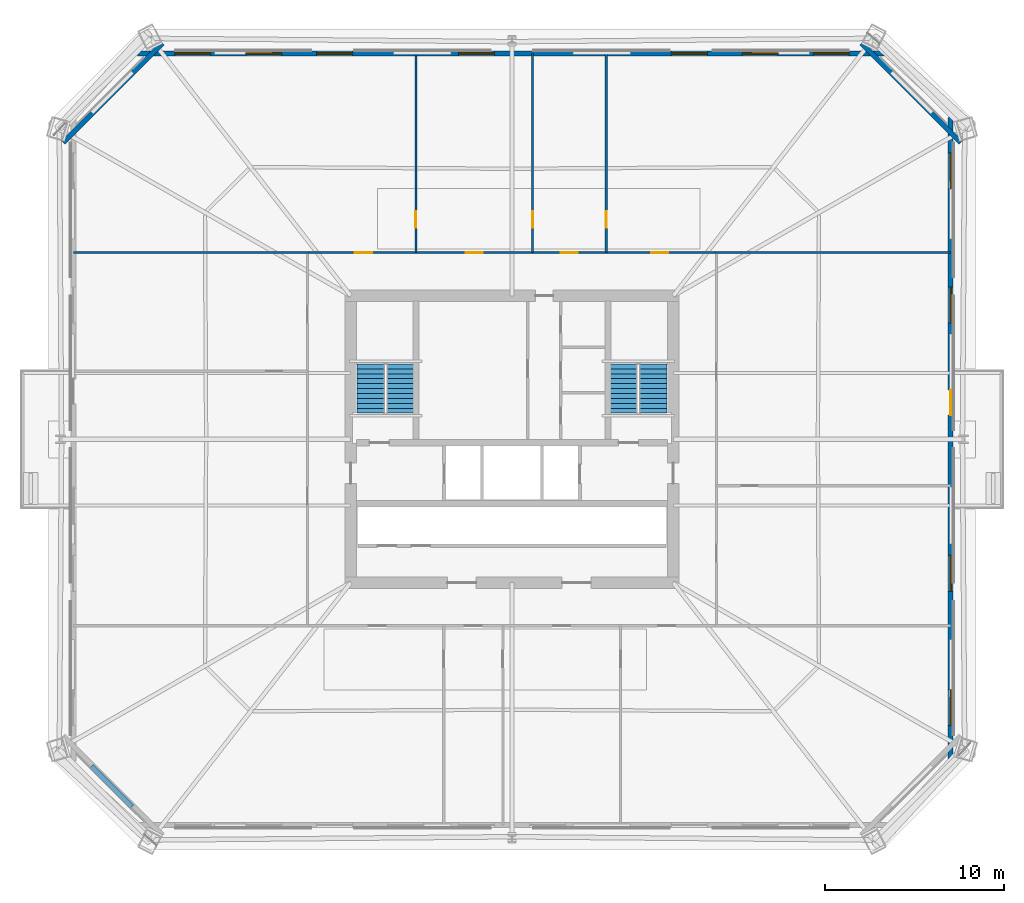
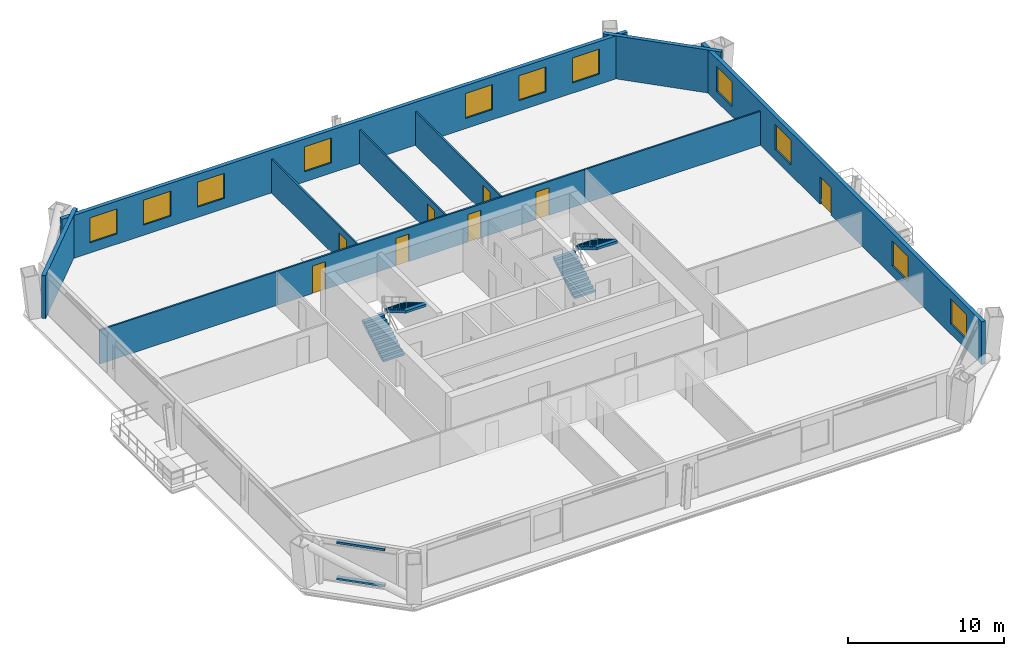
# One storey, part 7 of 11: 11 windows, 10 walls, 8 doors, 4 stair flights, 2 discrete accessories, 19 openings, 2 elements without a shape of their own.
"""IFC4 building model written with IfcOpenShell, lengths in metres."""

from ifc_helpers import new_model, si_unit, direction, frame, frame_2d, origin, origin_2d, place, context, subcontext, project, spatial, polyline, rectangle, outline, extrude, material, layer, layer_set, type_object, element, fill, aggregate, save


model = new_model("IFC4")

# Units and contexts
model_context = context("Model", 3, precision=1e-05, world=origin(), true_north=direction((0.0, 1.0)))
body_context = subcontext(model_context, "Body", "Model", "MODEL_VIEW")
ifc_project = project(units=[si_unit("LENGTHUNIT", "METRE"), si_unit("AREAUNIT", "SQUARE_METRE"), si_unit("VOLUMEUNIT", "CUBIC_METRE"), si_unit("PLANEANGLEUNIT", "RADIAN"), si_unit("MASSUNIT", "GRAM", prefix="KILO")], contexts=[model_context])

# Site, building, storey
site_placement = place(None, origin())
site = spatial("IfcSite", under=ifc_project, at=site_placement, CompositionType="ELEMENT")
building_placement = place(site_placement, origin())
building = spatial("IfcBuilding", under=site, at=building_placement, Name="Caelvoria Tower", CompositionType="ELEMENT")
storey_placement = place(building_placement, frame((0.0, 0.0, 67.60009765625)))
storey = spatial("IfcBuildingStorey", under=building, at=storey_placement, Name="L17", CompositionType="ELEMENT", Elevation=67.60009765625)

# Wall, openings, windows, door
ifc_material_1 = material(Name="Precast Concrete C40/50 with Bronze Cladding", Category="concrete")
ifc_layer_1 = layer(ifc_material_1, 0.280029296875, Name="Precast Concrete C40/50 with Bronze Cladding")
ifc_layer_set_1 = layer_set([ifc_layer_1], Name="Exterior Precast Concrete C40/50 Bronze-Clad Facade Wall 280 - Precast Concrete C40/50 with Bronze Cladding")
wall_type_1 = type_object("IfcWallType", Name="Exterior Precast Concrete C40/50 Bronze-Clad Facade Wall 280", PredefinedType="STANDARD", material=ifc_layer_set_1)
wall_1_placement = place(storey_placement, frame((70.469970703125, 14.06005859375, 0.0), z_axis=(0.0, 0.0, 1.0), x_axis=(0.0, 1.0, 0.0)))
wall_1 = element("IfcWall", 1, at=wall_1_placement, inside=storey, type_object=wall_type_1, Name="Exterior Facade Wall L17-E2", PredefinedType="STANDARD", context=body_context, shape_type="SweptSolid", body=[
    extrude(rectangle(XDim=35.8798828125, YDim=0.280029296875, at=frame_2d((17.93994140625, 0.0))), origin(), (0.0, 0.0, 1.0), 3.35986328125),
])
opening_1_placement = place(wall_1_placement, frame((19.2900390625, 0.0, 0.0)))
opening_1 = element("IfcOpeningElement", 2, at=opening_1_placement, cuts=wall_1, Name="Opening ED-04", PredefinedType="OPENING", context=body_context, shape_type="SweptSolid", body=[
    extrude(rectangle(XDim=1.39990234375, YDim=2.14990234375, at=frame_2d((0.699951171875, 1.074951171875))), frame((0.0, 0.14990234375, 0.0), z_axis=(0.0, -1.0, 0.0), x_axis=(1.0, 0.0, 0.0)), (0.0, 0.0, 1.0), 0.300048828125),
])
opening_2_placement = place(wall_1_placement, frame((1.97119140625, 0.0, 0.800048828125)))
opening_2 = element("IfcOpeningElement", 3, at=opening_2_placement, cuts=wall_1, Name="Opening WN-01", PredefinedType="OPENING", context=body_context, shape_type="SweptSolid", body=[
    extrude(rectangle(XDim=2.0, YDim=1.949951171875, at=frame_2d((1.0, 0.97509765625))), frame((0.0, 0.14990234375, 0.0), z_axis=(0.0, -1.0, 0.0), x_axis=(1.0, 0.0, 0.0)), (0.0, 0.0, 1.0), 0.300048828125),
])
opening_3_placement = place(wall_1_placement, frame((9.45556640625, 0.0, 0.800048828125)))
opening_3 = element("IfcOpeningElement", 4, at=opening_3_placement, cuts=wall_1, Name="Opening WN-01", PredefinedType="OPENING", context=body_context, shape_type="SweptSolid", body=[
    extrude(rectangle(XDim=2.0, YDim=1.949951171875, at=frame_2d((1.0, 0.97509765625))), frame((0.0, 0.14990234375, 0.0), z_axis=(0.0, -1.0, 0.0), x_axis=(1.0, 0.0, 0.0)), (0.0, 0.0, 1.0), 0.300048828125),
])
opening_4_placement = place(wall_1_placement, frame((24.42431640625, 0.0, 0.800048828125)))
opening_4 = element("IfcOpeningElement", 5, at=opening_4_placement, cuts=wall_1, Name="Opening WN-01", PredefinedType="OPENING", context=body_context, shape_type="SweptSolid", body=[
    extrude(rectangle(XDim=2.0, YDim=1.949951171875, at=frame_2d((1.0, 0.97509765625))), frame((0.0, 0.14990234375, 0.0), z_axis=(0.0, -1.0, 0.0), x_axis=(1.0, 0.0, 0.0)), (0.0, 0.0, 1.0), 0.300048828125),
])
opening_5_placement = place(wall_1_placement, frame((31.908935546875, 0.0, 0.800048828125)))
opening_5 = element("IfcOpeningElement", 6, at=opening_5_placement, cuts=wall_1, Name="Opening WN-01", PredefinedType="OPENING", context=body_context, shape_type="SweptSolid", body=[
    extrude(rectangle(XDim=2.0, YDim=1.949951171875, at=frame_2d((1.0, 0.97509765625))), frame((0.0, 0.14990234375, 0.0), z_axis=(0.0, -1.0, 0.0), x_axis=(1.0, 0.0, 0.0)), (0.0, 0.0, 1.0), 0.300048828125),
])
ifc_material_2 = material(Name="Low-E Tinted Glass in Bronze Aluminium Frame", Category="aluminium")
window_type = type_object("IfcWindowType", Name="Tower Office Vision Window 2000x1950", PartitioningType="SINGLE_PANEL", PredefinedType="WINDOW", material=ifc_material_2)
window_1_placement = place(opening_2_placement, origin())
window_1 = element("IfcWindow", 7, at=window_1_placement, inside=storey, type_object=window_type, Name="Facade Window L17-E2-00", OverallHeight=1.949951171875, OverallWidth=2.0, PartitioningType="SINGLE_PANEL", PredefinedType="WINDOW", context=body_context, shape_type="SweptSolid", body=[
    extrude(rectangle(XDim=2.0, YDim=1.949951171875, at=frame_2d((1.0, 0.97509765625))), frame((0.0, 0.030029296875, 0.0), z_axis=(0.0, -1.0, 0.0), x_axis=(1.0, 0.0, 0.0)), (0.0, 0.0, 1.0), 0.06005859375),
])
fill(opening_2, window_1)
window_2_placement = place(opening_3_placement, origin())
window_2 = element("IfcWindow", 8, at=window_2_placement, inside=storey, type_object=window_type, Name="Facade Window L17-E2-02", OverallHeight=1.949951171875, OverallWidth=2.0, PartitioningType="SINGLE_PANEL", PredefinedType="WINDOW", context=body_context, shape_type="SweptSolid", body=[
    extrude(rectangle(XDim=2.0, YDim=1.949951171875, at=frame_2d((1.0, 0.97509765625))), frame((0.0, 0.030029296875, 0.0), z_axis=(0.0, -1.0, 0.0), x_axis=(1.0, 0.0, 0.0)), (0.0, 0.0, 1.0), 0.06005859375),
])
fill(opening_3, window_2)
window_3_placement = place(opening_4_placement, origin())
window_3 = element("IfcWindow", 9, at=window_3_placement, inside=storey, type_object=window_type, Name="Facade Window L17-E2-06", OverallHeight=1.949951171875, OverallWidth=2.0, PartitioningType="SINGLE_PANEL", PredefinedType="WINDOW", context=body_context, shape_type="SweptSolid", body=[
    extrude(rectangle(XDim=2.0, YDim=1.949951171875, at=frame_2d((1.0, 0.97509765625))), frame((0.0, 0.030029296875, 0.0), z_axis=(0.0, -1.0, 0.0), x_axis=(1.0, 0.0, 0.0)), (0.0, 0.0, 1.0), 0.06005859375),
])
fill(opening_4, window_3)
window_4_placement = place(opening_5_placement, origin())
window_4 = element("IfcWindow", 10, at=window_4_placement, inside=storey, type_object=window_type, Name="Facade Window L17-E2-08", OverallHeight=1.949951171875, OverallWidth=2.0, PartitioningType="SINGLE_PANEL", PredefinedType="WINDOW", context=body_context, shape_type="SweptSolid", body=[
    extrude(rectangle(XDim=2.0, YDim=1.949951171875, at=frame_2d((1.0, 0.97509765625))), frame((0.0, 0.030029296875, 0.0), z_axis=(0.0, -1.0, 0.0), x_axis=(1.0, 0.0, 0.0)), (0.0, 0.0, 1.0), 0.06005859375),
])
fill(opening_5, window_4)
ifc_material_3 = material(Name="Anodised Bronze Aluminium and Laminated Glass", Category="aluminium")
door_type_1 = type_object("IfcDoorType", Name="Tree Balcony Glazed Door 1400x2150", OperationType="NOTDEFINED", PredefinedType="DOOR", material=ifc_material_3)
door_1_placement = place(opening_1_placement, origin())
door_1 = element("IfcDoor", 11, at=door_1_placement, inside=storey, type_object=door_type_1, Name="Tree Balcony Door L17-E", OperationType="SINGLE_SWING_RIGHT", OverallHeight=2.14990234375, OverallWidth=1.39990234375, PredefinedType="DOOR", context=body_context, shape_type="SweptSolid", body=[
    extrude(rectangle(XDim=1.39990234375, YDim=2.14990234375, at=frame_2d((0.699951171875, 1.074951171875))), frame((0.0, 0.02490234375, 0.0), z_axis=(0.0, -1.0, 0.0), x_axis=(1.0, 0.0, 0.0)), (0.0, 0.0, 1.0), 0.050048828125),
])
fill(opening_1, door_1)

# Wall
wall_2_placement = place(storey_placement, frame((71.0439453125, 48.554443359375, 0.0), z_axis=(0.0, 0.0, 1.0), x_axis=(-0.707106781187, 0.707106781187, 0.0)))
element("IfcWall", 12, at=wall_2_placement, inside=storey, type_object=wall_type_1, Name="Exterior Facade Wall L17-E3", PredefinedType="STANDARD", context=body_context, shape_type="SweptSolid", body=[
    extrude(rectangle(XDim=7.834228515625, YDim=0.280029296875, at=frame_2d((3.9169921875, 0.0))), origin(), (0.0, 0.0, 1.0), 3.35986328125),
])

# Wall, openings, windows
wall_3_placement = place(storey_placement, frame((66.889892578125, 53.52001953125, 0.0), z_axis=(0.0, 0.0, 1.0), x_axis=(-1.0, 0.0, 0.0)))
wall_3 = element("IfcWall", 13, at=wall_3_placement, inside=storey, type_object=wall_type_1, Name="Exterior Facade Wall L17-E4", PredefinedType="STANDARD", context=body_context, shape_type="SweptSolid", body=[
    extrude(rectangle(XDim=41.77978515625, YDim=0.280029296875, at=frame_2d((20.889892578125, 0.0))), origin(), (0.0, 0.0, 1.0), 3.35986328125),
])
opening_6_placement = place(wall_3_placement, frame((2.0791015625, 0.0, 0.800048828125)))
opening_6 = element("IfcOpeningElement", 14, at=opening_6_placement, cuts=wall_3, Name="Opening WN-01", PredefinedType="OPENING", context=body_context, shape_type="SweptSolid", body=[
    extrude(rectangle(XDim=2.0, YDim=1.949951171875, at=frame_2d((1.0, 0.97509765625))), frame((0.0, 0.14990234375, 0.0), z_axis=(0.0, -1.0, 0.0), x_axis=(1.0, 0.0, 0.0)), (0.0, 0.0, 1.0), 0.300048828125),
])
opening_7_placement = place(wall_3_placement, frame((6.037109375, 0.0, 0.800048828125)))
opening_7 = element("IfcOpeningElement", 15, at=opening_7_placement, cuts=wall_3, Name="Opening WN-01", PredefinedType="OPENING", context=body_context, shape_type="SweptSolid", body=[
    extrude(rectangle(XDim=2.0, YDim=1.949951171875, at=frame_2d((1.0, 0.97509765625))), frame((0.0, 0.14990234375, 0.0), z_axis=(0.0, -1.0, 0.0), x_axis=(1.0, 0.0, 0.0)), (0.0, 0.0, 1.0), 0.300048828125),
])
opening_8_placement = place(wall_3_placement, frame((9.9951171875, 0.0, 0.800048828125)))
opening_8 = element("IfcOpeningElement", 16, at=opening_8_placement, cuts=wall_3, Name="Opening WN-01", PredefinedType="OPENING", context=body_context, shape_type="SweptSolid", body=[
    extrude(rectangle(XDim=2.0, YDim=1.949951171875, at=frame_2d((1.0, 0.97509765625))), frame((0.0, 0.14990234375, 0.0), z_axis=(0.0, -1.0, 0.0), x_axis=(1.0, 0.0, 0.0)), (0.0, 0.0, 1.0), 0.300048828125),
])
opening_9_placement = place(wall_3_placement, frame((21.868896484375, 0.0, 0.800048828125)))
opening_9 = element("IfcOpeningElement", 17, at=opening_9_placement, cuts=wall_3, Name="Opening WN-01", PredefinedType="OPENING", context=body_context, shape_type="SweptSolid", body=[
    extrude(rectangle(XDim=2.0, YDim=1.949951171875, at=frame_2d((1.0, 0.97509765625))), frame((0.0, 0.14990234375, 0.0), z_axis=(0.0, -1.0, 0.0), x_axis=(1.0, 0.0, 0.0)), (0.0, 0.0, 1.0), 0.300048828125),
])
opening_10_placement = place(wall_3_placement, frame((29.784912109375, 0.0, 0.800048828125)))
opening_10 = element("IfcOpeningElement", 18, at=opening_10_placement, cuts=wall_3, Name="Opening WN-01", PredefinedType="OPENING", context=body_context, shape_type="SweptSolid", body=[
    extrude(rectangle(XDim=2.0, YDim=1.949951171875, at=frame_2d((1.0, 0.97509765625))), frame((0.0, 0.14990234375, 0.0), z_axis=(0.0, -1.0, 0.0), x_axis=(1.0, 0.0, 0.0)), (0.0, 0.0, 1.0), 0.300048828125),
])
opening_11_placement = place(wall_3_placement, frame((33.742919921875, 0.0, 0.800048828125)))
opening_11 = element("IfcOpeningElement", 19, at=opening_11_placement, cuts=wall_3, Name="Opening WN-01", PredefinedType="OPENING", context=body_context, shape_type="SweptSolid", body=[
    extrude(rectangle(XDim=2.0, YDim=1.949951171875, at=frame_2d((1.0, 0.97509765625))), frame((0.0, 0.14990234375, 0.0), z_axis=(0.0, -1.0, 0.0), x_axis=(1.0, 0.0, 0.0)), (0.0, 0.0, 1.0), 0.300048828125),
])
opening_12_placement = place(wall_3_placement, frame((37.700927734375, 0.0, 0.800048828125)))
opening_12 = element("IfcOpeningElement", 20, at=opening_12_placement, cuts=wall_3, Name="Opening WN-01", PredefinedType="OPENING", context=body_context, shape_type="SweptSolid", body=[
    extrude(rectangle(XDim=2.0, YDim=1.949951171875, at=frame_2d((1.0, 0.97509765625))), frame((0.0, 0.14990234375, 0.0), z_axis=(0.0, -1.0, 0.0), x_axis=(1.0, 0.0, 0.0)), (0.0, 0.0, 1.0), 0.300048828125),
])
window_5_placement = place(opening_6_placement, origin())
window_5 = element("IfcWindow", 21, at=window_5_placement, inside=storey, type_object=window_type, Name="Facade Window L17-E4-00", OverallHeight=1.949951171875, OverallWidth=2.0, PartitioningType="SINGLE_PANEL", PredefinedType="WINDOW", context=body_context, shape_type="SweptSolid", body=[
    extrude(rectangle(XDim=2.0, YDim=1.949951171875, at=frame_2d((1.0, 0.97509765625))), frame((0.0, 0.030029296875, 0.0), z_axis=(0.0, -1.0, 0.0), x_axis=(1.0, 0.0, 0.0)), (0.0, 0.0, 1.0), 0.06005859375),
])
fill(opening_6, window_5)
window_6_placement = place(opening_7_placement, origin())
window_6 = element("IfcWindow", 22, at=window_6_placement, inside=storey, type_object=window_type, Name="Facade Window L17-E4-01", OverallHeight=1.949951171875, OverallWidth=2.0, PartitioningType="SINGLE_PANEL", PredefinedType="WINDOW", context=body_context, shape_type="SweptSolid", body=[
    extrude(rectangle(XDim=2.0, YDim=1.949951171875, at=frame_2d((1.0, 0.97509765625))), frame((0.0, 0.030029296875, 0.0), z_axis=(0.0, -1.0, 0.0), x_axis=(1.0, 0.0, 0.0)), (0.0, 0.0, 1.0), 0.06005859375),
])
fill(opening_7, window_6)
window_7_placement = place(opening_8_placement, origin())
window_7 = element("IfcWindow", 23, at=window_7_placement, inside=storey, type_object=window_type, Name="Facade Window L17-E4-02", OverallHeight=1.949951171875, OverallWidth=2.0, PartitioningType="SINGLE_PANEL", PredefinedType="WINDOW", context=body_context, shape_type="SweptSolid", body=[
    extrude(rectangle(XDim=2.0, YDim=1.949951171875, at=frame_2d((1.0, 0.97509765625))), frame((0.0, 0.030029296875, 0.0), z_axis=(0.0, -1.0, 0.0), x_axis=(1.0, 0.0, 0.0)), (0.0, 0.0, 1.0), 0.06005859375),
])
fill(opening_8, window_7)
window_8_placement = place(opening_9_placement, origin())
window_8 = element("IfcWindow", 24, at=window_8_placement, inside=storey, type_object=window_type, Name="Facade Window L17-E4-05", OverallHeight=1.949951171875, OverallWidth=2.0, PartitioningType="SINGLE_PANEL", PredefinedType="WINDOW", context=body_context, shape_type="SweptSolid", body=[
    extrude(rectangle(XDim=2.0, YDim=1.949951171875, at=frame_2d((1.0, 0.97509765625))), frame((0.0, 0.030029296875, 0.0), z_axis=(0.0, -1.0, 0.0), x_axis=(1.0, 0.0, 0.0)), (0.0, 0.0, 1.0), 0.06005859375),
])
fill(opening_9, window_8)
window_9_placement = place(opening_10_placement, origin())
window_9 = element("IfcWindow", 25, at=window_9_placement, inside=storey, type_object=window_type, Name="Facade Window L17-E4-07", OverallHeight=1.949951171875, OverallWidth=2.0, PartitioningType="SINGLE_PANEL", PredefinedType="WINDOW", context=body_context, shape_type="SweptSolid", body=[
    extrude(rectangle(XDim=2.0, YDim=1.949951171875, at=frame_2d((1.0, 0.97509765625))), frame((0.0, 0.030029296875, 0.0), z_axis=(0.0, -1.0, 0.0), x_axis=(1.0, 0.0, 0.0)), (0.0, 0.0, 1.0), 0.06005859375),
])
fill(opening_10, window_9)
window_10_placement = place(opening_11_placement, origin())
window_10 = element("IfcWindow", 26, at=window_10_placement, inside=storey, type_object=window_type, Name="Facade Window L17-E4-08", OverallHeight=1.949951171875, OverallWidth=2.0, PartitioningType="SINGLE_PANEL", PredefinedType="WINDOW", context=body_context, shape_type="SweptSolid", body=[
    extrude(rectangle(XDim=2.0, YDim=1.949951171875, at=frame_2d((1.0, 0.97509765625))), frame((0.0, 0.030029296875, 0.0), z_axis=(0.0, -1.0, 0.0), x_axis=(1.0, 0.0, 0.0)), (0.0, 0.0, 1.0), 0.06005859375),
])
fill(opening_11, window_10)
window_11_placement = place(opening_12_placement, origin())
window_11 = element("IfcWindow", 27, at=window_11_placement, inside=storey, type_object=window_type, Name="Facade Window L17-E4-09", OverallHeight=1.949951171875, OverallWidth=2.0, PartitioningType="SINGLE_PANEL", PredefinedType="WINDOW", context=body_context, shape_type="SweptSolid", body=[
    extrude(rectangle(XDim=2.0, YDim=1.949951171875, at=frame_2d((1.0, 0.97509765625))), frame((0.0, 0.030029296875, 0.0), z_axis=(0.0, -1.0, 0.0), x_axis=(1.0, 0.0, 0.0)), (0.0, 0.0, 1.0), 0.06005859375),
])
fill(opening_12, window_11)

# Wall
wall_4_placement = place(storey_placement, frame((26.49560546875, 54.093994140625, 0.0), z_axis=(0.0, 0.0, 1.0), x_axis=(-0.707106781187, -0.707106781187, 0.0)))
element("IfcWall", 28, at=wall_4_placement, inside=storey, type_object=wall_type_1, Name="Exterior Facade Wall L17-E5", PredefinedType="STANDARD", context=body_context, shape_type="SweptSolid", body=[
    extrude(rectangle(XDim=7.834228515625, YDim=0.280029296875, at=frame_2d((3.9169921875, 0.0))), origin(), (0.0, 0.0, 1.0), 3.35986328125),
])

# Wall, opening, door
ifc_material_4 = material(Name="Acoustic Gypsum Board on Light-Gauge Stud", Category="gypsum")
ifc_layer_2 = layer(ifc_material_4, 0.1201171875, Name="Acoustic Gypsum Board on Light-Gauge Stud")
ifc_layer_set_2 = layer_set([ifc_layer_2], Name="Tenant Suite Acoustic Partition Wall 120 - Acoustic Gypsum Board on Light-Gauge Stud")
wall_type_2 = type_object("IfcWallType", Name="Tenant Suite Acoustic Partition Wall 120", PredefinedType="PARTITIONING", material=ifc_layer_set_2)
wall_5_placement = place(storey_placement, frame((40.638916015625, 42.409912109375, 0.0), z_axis=(0.0, 0.0, 1.0), x_axis=(0.0, 1.0, 0.0)))
wall_5 = element("IfcWall", 29, at=wall_5_placement, inside=storey, type_object=wall_type_2, Name="Interior Partition IW-L17-ND-00-0", PredefinedType="PARTITIONING", context=body_context, shape_type="SweptSolid", body=[
    extrude(rectangle(XDim=11.110107421875, YDim=0.1201171875, at=frame_2d((5.55517578125, 0.0))), origin(), (0.0, 0.0, 1.0), 2.639892578125),
])
opening_13_placement = place(wall_5_placement, frame((1.39990234375, 0.0, 0.0)))
opening_13 = element("IfcOpeningElement", 30, at=opening_13_placement, cuts=wall_5, Name="Opening ID-06", PredefinedType="OPENING", context=body_context, shape_type="SweptSolid", body=[
    extrude(rectangle(XDim=0.89990234375, YDim=2.14990234375, at=frame_2d((0.449951171875, 1.074951171875))), frame((0.0, 0.070068359375, 0.0), z_axis=(0.0, -1.0, 0.0), x_axis=(1.0, 0.0, 0.0)), (0.0, 0.0, 1.0), 0.14013671875),
])
ifc_material_5 = material(Name="Engineered Andean Oak Veneer Door", Category="wood")
door_type_2 = type_object("IfcDoorType", Name="Interior Timber Door 900x2150", OperationType="NOTDEFINED", PredefinedType="DOOR", material=ifc_material_5)
door_2_placement = place(opening_13_placement, origin())
door_2 = element("IfcDoor", 31, at=door_2_placement, inside=storey, type_object=door_type_2, Name="Interior Door DR-L17-NM-00-0", OperationType="SINGLE_SWING_RIGHT", OverallHeight=2.14990234375, OverallWidth=0.89990234375, PredefinedType="DOOR", context=body_context, shape_type="SweptSolid", body=[
    extrude(rectangle(XDim=0.89990234375, YDim=2.14990234375, at=frame_2d((0.449951171875, 1.074951171875))), frame((0.0, 0.02490234375, 0.0), z_axis=(0.0, -1.0, 0.0), x_axis=(1.0, 0.0, 0.0)), (0.0, 0.0, 1.0), 0.050048828125),
])
fill(opening_13, door_2)

wall_6_placement = place(storey_placement, frame((47.147705078125, 42.409912109375, 0.0), z_axis=(0.0, 0.0, 1.0), x_axis=(0.0, 1.0, 0.0)))
wall_6 = element("IfcWall", 32, at=wall_6_placement, inside=storey, type_object=wall_type_2, Name="Interior Partition IW-L17-ND-01-0", PredefinedType="PARTITIONING", context=body_context, shape_type="SweptSolid", body=[
    extrude(rectangle(XDim=11.110107421875, YDim=0.1201171875, at=frame_2d((5.55517578125, 0.0))), origin(), (0.0, 0.0, 1.0), 2.639892578125),
])
opening_14_placement = place(wall_6_placement, frame((1.39990234375, 0.0, 0.0)))
opening_14 = element("IfcOpeningElement", 33, at=opening_14_placement, cuts=wall_6, Name="Opening ID-06", PredefinedType="OPENING", context=body_context, shape_type="SweptSolid", body=[
    extrude(rectangle(XDim=0.89990234375, YDim=2.14990234375, at=frame_2d((0.449951171875, 1.074951171875))), frame((0.0, 0.070068359375, 0.0), z_axis=(0.0, -1.0, 0.0), x_axis=(1.0, 0.0, 0.0)), (0.0, 0.0, 1.0), 0.14013671875),
])
door_3_placement = place(opening_14_placement, origin())
door_3 = element("IfcDoor", 34, at=door_3_placement, inside=storey, type_object=door_type_2, Name="Interior Door DR-L17-NM-01-0", OperationType="SINGLE_SWING_LEFT", OverallHeight=2.14990234375, OverallWidth=0.89990234375, PredefinedType="DOOR", context=body_context, shape_type="SweptSolid", body=[
    extrude(rectangle(XDim=0.89990234375, YDim=2.14990234375, at=frame_2d((0.449951171875, 1.074951171875))), frame((0.0, 0.02490234375, 0.0), z_axis=(0.0, -1.0, 0.0), x_axis=(1.0, 0.0, 0.0)), (0.0, 0.0, 1.0), 0.050048828125),
])
fill(opening_14, door_3)

wall_7_placement = place(storey_placement, frame((51.2607421875, 42.409912109375, 0.0), z_axis=(0.0, 0.0, 1.0), x_axis=(0.0, 1.0, 0.0)))
wall_7 = element("IfcWall", 35, at=wall_7_placement, inside=storey, type_object=wall_type_2, Name="Interior Partition IW-L17-ND-02-0", PredefinedType="PARTITIONING", context=body_context, shape_type="SweptSolid", body=[
    extrude(rectangle(XDim=11.110107421875, YDim=0.1201171875, at=frame_2d((5.55517578125, 0.0))), origin(), (0.0, 0.0, 1.0), 2.639892578125),
])
opening_15_placement = place(wall_7_placement, frame((1.39990234375, 0.0, 0.0)))
opening_15 = element("IfcOpeningElement", 36, at=opening_15_placement, cuts=wall_7, Name="Opening ID-06", PredefinedType="OPENING", context=body_context, shape_type="SweptSolid", body=[
    extrude(rectangle(XDim=0.89990234375, YDim=2.14990234375, at=frame_2d((0.449951171875, 1.074951171875))), frame((0.0, 0.070068359375, 0.0), z_axis=(0.0, -1.0, 0.0), x_axis=(1.0, 0.0, 0.0)), (0.0, 0.0, 1.0), 0.14013671875),
])
door_4_placement = place(opening_15_placement, origin())
door_4 = element("IfcDoor", 37, at=door_4_placement, inside=storey, type_object=door_type_2, Name="Interior Door DR-L17-NM-02-0", OperationType="SINGLE_SWING_RIGHT", OverallHeight=2.14990234375, OverallWidth=0.89990234375, PredefinedType="DOOR", context=body_context, shape_type="SweptSolid", body=[
    extrude(rectangle(XDim=0.89990234375, YDim=2.14990234375, at=frame_2d((0.449951171875, 1.074951171875))), frame((0.0, 0.02490234375, 0.0), z_axis=(0.0, -1.0, 0.0), x_axis=(1.0, 0.0, 0.0)), (0.0, 0.0, 1.0), 0.050048828125),
])
fill(opening_15, door_4)

# Wall, openings, doors
wall_8_placement = place(storey_placement, frame((34.64990234375, 42.409912109375, 0.0), z_axis=(0.0, 0.0, 1.0), x_axis=(1.0, 0.0, 0.0)))
wall_8 = element("IfcWall", 38, at=wall_8_placement, inside=storey, type_object=wall_type_2, Name="Interior Partition IW-L17-NCW-0", PredefinedType="PARTITIONING", context=body_context, shape_type="SweptSolid", body=[
    extrude(rectangle(XDim=22.7001953125, YDim=0.1201171875, at=frame_2d((11.35009765625, 0.0))), origin(), (0.0, 0.0, 1.0), 2.639892578125),
])
opening_16_placement = place(wall_8_placement, frame((2.589599609375, 0.0, 0.0)))
opening_16 = element("IfcOpeningElement", 39, at=opening_16_placement, cuts=wall_8, Name="Opening ID-05", PredefinedType="OPENING", context=body_context, shape_type="SweptSolid", body=[
    extrude(rectangle(XDim=0.949951171875, YDim=2.14990234375, at=frame_2d((0.47509765625, 1.074951171875))), frame((0.0, 0.070068359375, 0.0), z_axis=(0.0, -1.0, 0.0), x_axis=(1.0, 0.0, 0.0)), (0.0, 0.0, 1.0), 0.14013671875),
])
opening_17_placement = place(wall_8_placement, frame((8.768310546875, 0.0, 0.0)))
opening_17 = element("IfcOpeningElement", 40, at=opening_17_placement, cuts=wall_8, Name="Opening ID-05", PredefinedType="OPENING", context=body_context, shape_type="SweptSolid", body=[
    extrude(rectangle(XDim=0.949951171875, YDim=2.14990234375, at=frame_2d((0.47509765625, 1.074951171875))), frame((0.0, 0.070068359375, 0.0), z_axis=(0.0, -1.0, 0.0), x_axis=(1.0, 0.0, 0.0)), (0.0, 0.0, 1.0), 0.14013671875),
])
opening_18_placement = place(wall_8_placement, frame((14.079345703125, 0.0, 0.0)))
opening_18 = element("IfcOpeningElement", 41, at=opening_18_placement, cuts=wall_8, Name="Opening ID-05", PredefinedType="OPENING", context=body_context, shape_type="SweptSolid", body=[
    extrude(rectangle(XDim=0.949951171875, YDim=2.14990234375, at=frame_2d((0.47509765625, 1.074951171875))), frame((0.0, 0.070068359375, 0.0), z_axis=(0.0, -1.0, 0.0), x_axis=(1.0, 0.0, 0.0)), (0.0, 0.0, 1.0), 0.14013671875),
])
opening_19_placement = place(wall_8_placement, frame((19.1103515625, 0.0, 0.0)))
opening_19 = element("IfcOpeningElement", 42, at=opening_19_placement, cuts=wall_8, Name="Opening ID-05", PredefinedType="OPENING", context=body_context, shape_type="SweptSolid", body=[
    extrude(rectangle(XDim=0.949951171875, YDim=2.14990234375, at=frame_2d((0.47509765625, 1.074951171875))), frame((0.0, 0.070068359375, 0.0), z_axis=(0.0, -1.0, 0.0), x_axis=(1.0, 0.0, 0.0)), (0.0, 0.0, 1.0), 0.14013671875),
])
door_type_3 = type_object("IfcDoorType", Name="Interior Timber Door 950x2150", OperationType="NOTDEFINED", PredefinedType="DOOR", material=ifc_material_5)
door_5_placement = place(opening_16_placement, origin())
door_5 = element("IfcDoor", 43, at=door_5_placement, inside=storey, type_object=door_type_3, Name="Interior Door DR-L17-NC-00-0", OperationType="SINGLE_SWING_RIGHT", OverallHeight=2.14990234375, OverallWidth=0.949951171875, PredefinedType="DOOR", context=body_context, shape_type="SweptSolid", body=[
    extrude(rectangle(XDim=0.949951171875, YDim=2.14990234375, at=frame_2d((0.47509765625, 1.074951171875))), frame((0.0, 0.02490234375, 0.0), z_axis=(0.0, -1.0, 0.0), x_axis=(1.0, 0.0, 0.0)), (0.0, 0.0, 1.0), 0.050048828125),
])
fill(opening_16, door_5)
door_6_placement = place(opening_17_placement, origin())
door_6 = element("IfcDoor", 44, at=door_6_placement, inside=storey, type_object=door_type_3, Name="Interior Door DR-L17-NC-01-0", OperationType="SINGLE_SWING_LEFT", OverallHeight=2.14990234375, OverallWidth=0.949951171875, PredefinedType="DOOR", context=body_context, shape_type="SweptSolid", body=[
    extrude(rectangle(XDim=0.949951171875, YDim=2.14990234375, at=frame_2d((0.47509765625, 1.074951171875))), frame((0.0, 0.02490234375, 0.0), z_axis=(0.0, -1.0, 0.0), x_axis=(1.0, 0.0, 0.0)), (0.0, 0.0, 1.0), 0.050048828125),
])
fill(opening_17, door_6)
door_7_placement = place(opening_18_placement, origin())
door_7 = element("IfcDoor", 45, at=door_7_placement, inside=storey, type_object=door_type_3, Name="Interior Door DR-L17-NC-02-0", OperationType="SINGLE_SWING_RIGHT", OverallHeight=2.14990234375, OverallWidth=0.949951171875, PredefinedType="DOOR", context=body_context, shape_type="SweptSolid", body=[
    extrude(rectangle(XDim=0.949951171875, YDim=2.14990234375, at=frame_2d((0.47509765625, 1.074951171875))), frame((0.0, 0.02490234375, 0.0), z_axis=(0.0, -1.0, 0.0), x_axis=(1.0, 0.0, 0.0)), (0.0, 0.0, 1.0), 0.050048828125),
])
fill(opening_18, door_7)
door_8_placement = place(opening_19_placement, origin())
door_8 = element("IfcDoor", 46, at=door_8_placement, inside=storey, type_object=door_type_3, Name="Interior Door DR-L17-NC-03-0", OperationType="SINGLE_SWING_LEFT", OverallHeight=2.14990234375, OverallWidth=0.949951171875, PredefinedType="DOOR", context=body_context, shape_type="SweptSolid", body=[
    extrude(rectangle(XDim=0.949951171875, YDim=2.14990234375, at=frame_2d((0.47509765625, 1.074951171875))), frame((0.0, 0.02490234375, 0.0), z_axis=(0.0, -1.0, 0.0), x_axis=(1.0, 0.0, 0.0)), (0.0, 0.0, 1.0), 0.050048828125),
])
fill(opening_19, door_8)

# Walls
for number, where, z_axis, x_axis, name in (
    (47, (34.64990234375, 42.409912109375, 0.0), (0.0, 0.0, 1.0), (-1.0, 0.0, 0.0), "Interior Partition IW-L17-BNW-0"),
    (48, (57.35009765625, 42.409912109375, 0.0), (0.0, 0.0, 1.0), (1.0, 0.0, 0.0), "Interior Partition IW-L17-BNE-0"),
):
    element("IfcWall", number, at=place(storey_placement, frame(where, z_axis=z_axis, x_axis=x_axis)), inside=storey, type_object=wall_type_2, Name=name, PredefinedType="PARTITIONING", context=body_context, shape_type="SweptSolid", body=[
        extrude(rectangle(XDim=13.119873046875, YDim=0.1201171875, at=frame_2d((6.56005859375, 0.0))), origin(), (0.0, 0.0, 1.0), 2.639892578125),
    ])

# Stair, stair flights
ifc_material_6 = material(Name="Concrete C40/50", Category="concrete")
stair_type = type_object("IfcStairType", Name="Core Smokeproof Dogleg Stair Concrete C40/50", PredefinedType="HALF_TURN_STAIR", material=ifc_material_6)
stair_1_placement = place(storey_placement, origin())
stair_1 = element("IfcStair", 49, at=stair_1_placement, inside=storey, type_object=stair_type, Name="ST-01 Smokeproof Exit Stair L17", PredefinedType="HALF_TURN_STAIR")
ifc_material_7 = material(Name="Precast Concrete C40/50", Category="concrete")
stair_flight_type = type_object("IfcStairFlightType", Name="Precast Concrete C40/50 Stair Flight 1480", PredefinedType="STRAIGHT", material=ifc_material_7)
stair_flight_1_placement = place(storey_placement, frame((38.1298828125, 33.449951171875, 0.0), z_axis=(0.0, 0.0, 1.0), x_axis=(0.0, 1.0, 0.0)))
stair_flight_1 = element("IfcStairFlight", 50, at=stair_flight_1_placement, type_object=stair_flight_type, Name="ST-01 flight 1", NumberOfRisers=11, NumberOfTreads=10, PredefinedType="STRAIGHT", RiserHeight=0.1636, TreadLength=0.275, context=body_context, shape_type="SweptSolid", body=[
    extrude(outline(polyline([(0.0, 0.0), (0.0, 0.16357421875), (0.27490234375, 0.16357421875), (0.27490234375, 0.3271484375), (0.550048828125, 0.3271484375), (0.550048828125, 0.49072265625), (0.824951171875, 0.49072265625), (0.824951171875, 0.654296875), (1.10009765625, 0.654296875), (1.10009765625, 0.818115234375), (1.375, 0.818115234375), (1.375, 0.981689453125), (1.64990234375, 0.981689453125), (1.64990234375, 1.145263671875), (1.925048828125, 1.145263671875), (1.925048828125, 1.308837890625), (2.199951171875, 1.308837890625), (2.199951171875, 1.472412109375), (2.47509765625, 1.472412109375), (2.47509765625, 1.635986328125), (2.75, 1.635986328125), (2.75, 1.799560546875), (2.75, 1.449951171875), (0.312744140625, 0.0), (0.0, 0.0)])), frame((0.0, 0.77001953125, 0.0), z_axis=(0.0, -1.0, 0.0), x_axis=(1.0, 0.0, 0.0)), (0.0, 0.0, 1.0), 1.5400390625),
])
stair_flight_2_placement = place(storey_placement, frame((39.77001953125, 36.199951171875, 1.7998046875), z_axis=(0.0, 0.0, 1.0), x_axis=(0.0, -1.0, 0.0)))
stair_flight_2 = element("IfcStairFlight", 51, at=stair_flight_2_placement, type_object=stair_flight_type, Name="ST-01 flight 2", NumberOfRisers=11, NumberOfTreads=10, PredefinedType="STRAIGHT", RiserHeight=0.1636, TreadLength=0.275, context=body_context, shape_type="SweptSolid", body=[
    extrude(outline(polyline([(0.0, 0.0), (0.0, 0.16357421875), (0.27490234375, 0.16357421875), (0.27490234375, 0.3271484375), (0.550048828125, 0.3271484375), (0.550048828125, 0.49072265625), (0.824951171875, 0.49072265625), (0.824951171875, 0.654296875), (1.10009765625, 0.654296875), (1.10009765625, 0.818115234375), (1.375, 0.818115234375), (1.375, 0.981689453125), (1.64990234375, 0.981689453125), (1.64990234375, 1.145263671875), (1.925048828125, 1.145263671875), (1.925048828125, 1.308837890625), (2.199951171875, 1.308837890625), (2.199951171875, 1.472412109375), (2.47509765625, 1.472412109375), (2.47509765625, 1.635986328125), (2.75, 1.635986328125), (2.75, 1.799560546875), (2.75, 1.449951171875), (0.312744140625, 0.0), (0.0, 0.0)])), frame((0.0, 0.77001953125, 0.0), z_axis=(0.0, -1.0, 0.0), x_axis=(1.0, 0.0, 0.0)), (0.0, 0.0, 1.0), 1.5400390625),
])
aggregate(stair_1, [stair_flight_1, stair_flight_2])

stair_2_placement = place(storey_placement, origin())
stair_2 = element("IfcStair", 52, at=stair_2_placement, inside=storey, type_object=stair_type, Name="ST-02 Smokeproof Exit Stair L17", PredefinedType="HALF_TURN_STAIR")
stair_flight_3_placement = place(storey_placement, frame((52.22998046875, 33.449951171875, 0.0), z_axis=(0.0, 0.0, 1.0), x_axis=(0.0, 1.0, 0.0)))
stair_flight_3 = element("IfcStairFlight", 53, at=stair_flight_3_placement, type_object=stair_flight_type, Name="ST-02 flight 1", NumberOfRisers=11, NumberOfTreads=10, PredefinedType="STRAIGHT", RiserHeight=0.1636, TreadLength=0.275, context=body_context, shape_type="SweptSolid", body=[
    extrude(outline(polyline([(0.0, 0.0), (0.0, 0.16357421875), (0.27490234375, 0.16357421875), (0.27490234375, 0.3271484375), (0.550048828125, 0.3271484375), (0.550048828125, 0.49072265625), (0.824951171875, 0.49072265625), (0.824951171875, 0.654296875), (1.10009765625, 0.654296875), (1.10009765625, 0.818115234375), (1.375, 0.818115234375), (1.375, 0.981689453125), (1.64990234375, 0.981689453125), (1.64990234375, 1.145263671875), (1.925048828125, 1.145263671875), (1.925048828125, 1.308837890625), (2.199951171875, 1.308837890625), (2.199951171875, 1.472412109375), (2.47509765625, 1.472412109375), (2.47509765625, 1.635986328125), (2.75, 1.635986328125), (2.75, 1.799560546875), (2.75, 1.449951171875), (0.312744140625, 0.0), (0.0, 0.0)])), frame((0.0, 0.77001953125, 0.0), z_axis=(0.0, -1.0, 0.0), x_axis=(1.0, 0.0, 0.0)), (0.0, 0.0, 1.0), 1.5400390625),
])
stair_flight_4_placement = place(storey_placement, frame((53.8701171875, 36.199951171875, 1.7998046875), z_axis=(0.0, 0.0, 1.0), x_axis=(0.0, -1.0, 0.0)))
stair_flight_4 = element("IfcStairFlight", 54, at=stair_flight_4_placement, type_object=stair_flight_type, Name="ST-02 flight 2", NumberOfRisers=11, NumberOfTreads=10, PredefinedType="STRAIGHT", RiserHeight=0.1636, TreadLength=0.275, context=body_context, shape_type="SweptSolid", body=[
    extrude(outline(polyline([(0.0, 0.0), (0.0, 0.16357421875), (0.27490234375, 0.16357421875), (0.27490234375, 0.3271484375), (0.550048828125, 0.3271484375), (0.550048828125, 0.49072265625), (0.824951171875, 0.49072265625), (0.824951171875, 0.654296875), (1.10009765625, 0.654296875), (1.10009765625, 0.818115234375), (1.375, 0.818115234375), (1.375, 0.981689453125), (1.64990234375, 0.981689453125), (1.64990234375, 1.145263671875), (1.925048828125, 1.145263671875), (1.925048828125, 1.308837890625), (2.199951171875, 1.308837890625), (2.199951171875, 1.472412109375), (2.47509765625, 1.472412109375), (2.47509765625, 1.635986328125), (2.75, 1.635986328125), (2.75, 1.799560546875), (2.75, 1.449951171875), (0.312744140625, 0.0), (0.0, 0.0)])), frame((0.0, 0.77001953125, 0.0), z_axis=(0.0, -1.0, 0.0), x_axis=(1.0, 0.0, 0.0)), (0.0, 0.0, 1.0), 1.5400390625),
])
aggregate(stair_2, [stair_flight_3, stair_flight_4])

# Discrete accessories
ifc_material_8 = material(Name="Anodised Bronze Stainless Bracket", Category="bronze")
discrete_accessory_type = type_object("IfcDiscreteAccessoryType", Name="Solar Screen Outrigger Support Bracket", PredefinedType="BRACKET", material=ifc_material_8)
for number, where, z_axis, x_axis, name in (
    (55, (23.67138671875, 12.621337890625, 0.23974609375), (0.0, 0.0, 1.0), (0.707106781187, -0.707106781187, 0.0), "Solar Screen Bracket L17-E7-00"),
    (56, (23.67138671875, 12.621337890625, 3.06005859375), (0.0, 0.0, 1.0), (0.707106781187, -0.707106781187, 0.0), "Upper Screen Band Bracket L17-E7-00"),
):
    element("IfcDiscreteAccessory", number, at=place(storey_placement, frame(where, z_axis=z_axis, x_axis=x_axis)), inside=storey, type_object=discrete_accessory_type, Name=name, PredefinedType="BRACKET", context=body_context, shape_type="SweptSolid", body=[
        extrude(rectangle(XDim=3.199951171875, YDim=0.280029296875, at=origin_2d()), origin(), (0.0, 0.0, 1.0), 0.159912109375),
    ])

save(model, "model.ifc")
